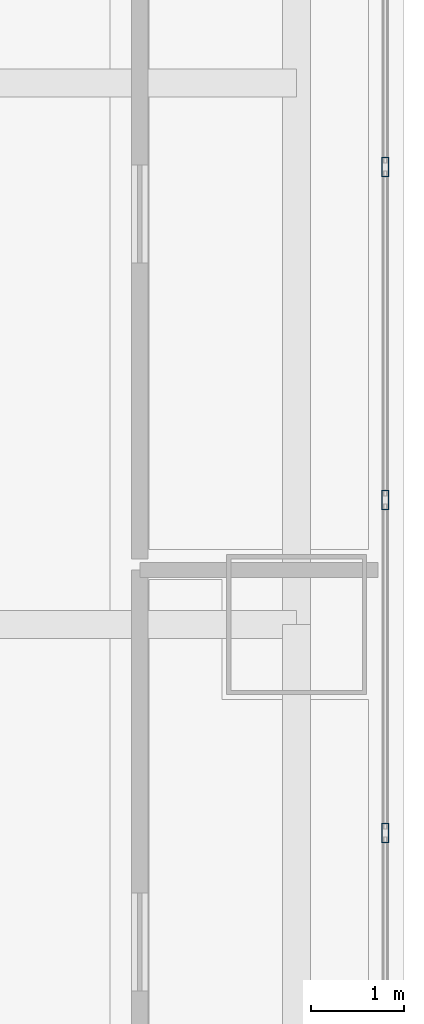
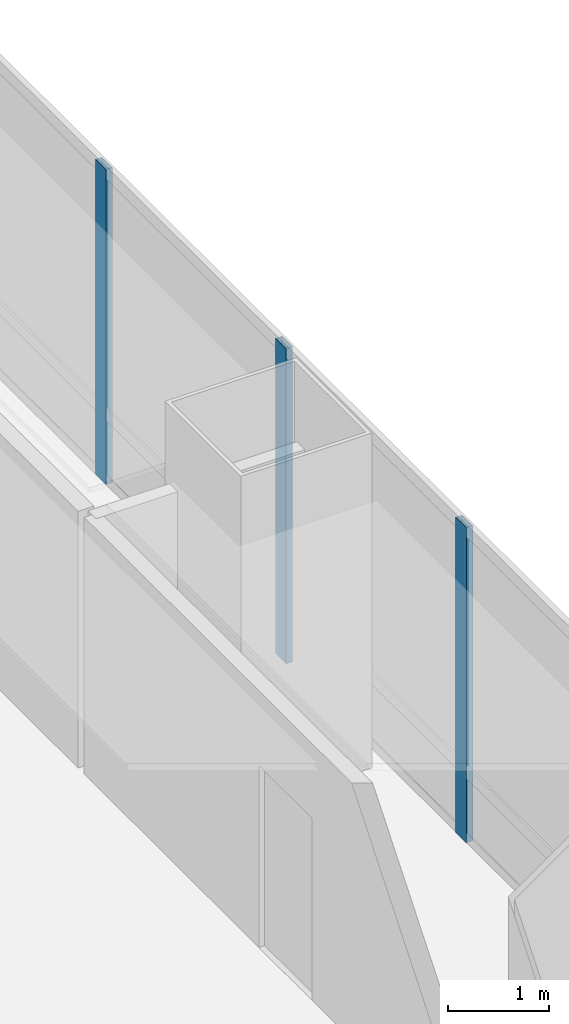
# One storey, part 17 of 36: 3 members, 1 element without a shape of its own.
"""IFC4 building model written with IfcOpenShell, lengths in metres."""

import ifcopenshell
import ifcopenshell.guid

model = None  # the IFC model being written
_history = None  # IfcOwnerHistory: only IFC2X3 demands one
_inside = {}  # id of a spatial element -> (the spatial element, [elements in it])
_under = {}  # id of a project, library or spatial element -> (it, [spatial elements below it])
_declared = {}  # id of a project -> (the project, [libraries it declares])
_typed = {}  # id of a type object -> (the type object, [elements of that type])
_made_of = {}  # id of a material, layer set ... -> (it, [elements and type objects made of it])


def new_model(schema):
    """Start an empty IFC model of exactly this schema.

    Asked for "IFC4X3", IfcOpenShell would pick the latest addendum, in which some entities
    have other attributes; the version numbers below select the first issue.
    IFC2X3 requires an IfcOwnerHistory on every rooted entity: one is made here for all.
    """
    global model, _history
    if schema == "IFC4X3":
        model = ifcopenshell.file(schema_version=(4, 3, 0, 0))
    else:
        model = ifcopenshell.file(schema=schema)
    _inside.clear()
    _under.clear()
    _declared.clear()
    _typed.clear()
    _made_of.clear()
    _history = None
    if model.schema == "IFC2X3":
        org = make("IfcOrganization", Name="unknown")
        user = make(
            "IfcPersonAndOrganization",
            ThePerson=make("IfcPerson", FamilyName="unknown"),
            TheOrganization=org,
        )
        app = make(
            "IfcApplication",
            ApplicationDeveloper=org,
            Version="unknown",
            ApplicationFullName="unknown",
            ApplicationIdentifier="unknown",
        )
        _history = make(
            "IfcOwnerHistory",
            OwningUser=user,
            OwningApplication=app,
            ChangeAction="ADDED",
            CreationDate=0,
        )
    return model


def make(cls, **values):
    """One entity of the class cls with the attributes given. An attribute that is None is left unset."""
    return model.create_entity(
        cls, **{name: value for name, value in values.items() if value is not None}
    )


def rooted(cls, **values):
    """An entity with a GlobalId (a new one), such as an element, a storey or a relation."""
    return make(cls, GlobalId=ifcopenshell.guid.new(), OwnerHistory=_history, **values)


def si_unit(unit_type, name, prefix=None):
    """IfcSIUnit, for example si_unit("LENGTHUNIT", "METRE", prefix="MILLI")."""
    return make("IfcSIUnit", UnitType=unit_type, Prefix=prefix, Name=name)


def assignment(units):
    """IfcUnitAssignment: the units of a project."""
    return None if units is None else make("IfcUnitAssignment", Units=units)


def point(xyz):
    """IfcCartesianPoint."""
    return None if xyz is None else make("IfcCartesianPoint", Coordinates=xyz)


def direction(xyz):
    """IfcDirection."""
    return None if xyz is None else make("IfcDirection", DirectionRatios=xyz)


def frame(location, z_axis=None, x_axis=None):
    """IfcAxis2Placement3D, a coordinate frame: its origin and axes. An axis left out is left unset."""
    return make(
        "IfcAxis2Placement3D",
        Location=point(location),
        Axis=direction(z_axis),
        RefDirection=direction(x_axis),
    )


def frame_2d(location, x_axis=None):
    """IfcAxis2Placement2D, a coordinate frame in the plane: its origin and x axis."""
    return make(
        "IfcAxis2Placement2D", Location=point(location), RefDirection=direction(x_axis)
    )


def origin():
    """The frame at (0, 0, 0) with its axes left unset."""
    return frame((0.0, 0.0, 0.0))


def origin_2d():
    """The frame at (0, 0) in the plane with its x axis left unset."""
    return frame_2d((0.0, 0.0))


def place(relative_to, where):
    """IfcLocalPlacement: puts the frame where relative to a parent placement (None: the world)."""
    return make(
        "IfcLocalPlacement", PlacementRelTo=relative_to, RelativePlacement=where
    )


def context(
    kind, dimensions, precision=None, world=None, true_north=None, identifier=None
):
    """IfcGeometricRepresentationContext, for example the 3D "Model" context."""
    return make(
        "IfcGeometricRepresentationContext",
        ContextIdentifier=identifier,
        ContextType=kind,
        CoordinateSpaceDimension=dimensions,
        Precision=precision,
        WorldCoordinateSystem=world,
        TrueNorth=true_north,
    )


def subcontext(parent, identifier, kind, view, scale=None):
    """IfcGeometricRepresentationSubContext, for example "Body" below "Model"."""
    return make(
        "IfcGeometricRepresentationSubContext",
        ContextIdentifier=identifier,
        ContextType=kind,
        ParentContext=parent,
        TargetScale=scale,
        TargetView=view,
    )


def project(units=None, contexts=None):
    """IfcProject with its units and contexts."""
    return rooted(
        "IfcProject",
        Name="project",
        RepresentationContexts=contexts,
        UnitsInContext=assignment(units),
    )


def spatial(cls, under=None, at=None, **own):
    """A site, building, storey or space (cls), placed at a placement, below another one or the project."""
    s = rooted(cls, ObjectPlacement=at, **own)
    if under is not None:
        _under.setdefault(under.id(), (under, []))[1].append(s)
    return s


def profile(cls, at=None, kind="AREA", **sizes):
    """A parametric profile (cls). Its sizes go by their IFC names, for example OverallWidth=200.0."""
    return make(cls, ProfileType=kind, Position=at, **sizes)


def hollow_rectangle(**sizes):
    """IfcRectangleHollowProfileDef."""
    return profile("IfcRectangleHollowProfileDef", **sizes)


def extrude(swept, where, along, depth):
    """IfcExtrudedAreaSolid: the profile swept, set in the frame where, extruded along a direction by depth."""
    return make(
        "IfcExtrudedAreaSolid",
        SweptArea=swept,
        Position=where,
        ExtrudedDirection=direction(along),
        Depth=depth,
    )


def shape(context_of_items, identifier, shape_type, items):
    """IfcShapeRepresentation: the items that make up one representation, for example the "Body"."""
    return make(
        "IfcShapeRepresentation",
        ContextOfItems=context_of_items,
        RepresentationIdentifier=identifier,
        RepresentationType=shape_type,
        Items=items,
    )


def material(Name=None, Category=None):
    """IfcMaterial."""
    return make("IfcMaterial", Name=Name, Category=Category)


def material_profile(
    of_material, cross_section, Name=None, Category=None, Priority=None
):
    """IfcMaterialProfile: a cross section and its material."""
    return make(
        "IfcMaterialProfile",
        Name=Name,
        Material=of_material,
        Profile=cross_section,
        Priority=Priority,
        Category=Category,
    )


def profile_set(profiles, Name=None, composite=None):
    """IfcMaterialProfileSet."""
    return make(
        "IfcMaterialProfileSet",
        Name=Name,
        MaterialProfiles=profiles,
        CompositeProfile=composite,
    )


def made_of(thing, what):
    """Note that an element or type object is made of a material, layer set ...; save() writes the relation."""
    if what is not None:
        _made_of.setdefault(what.id(), (what, []))[1].append(thing)
    return thing


def type_object(cls, material=None, **own):
    """A type object (cls), such as IfcWallType, which elements share."""
    return made_of(rooted(cls, **own), material)


def element(
    cls,
    number,
    at=None,
    inside=None,
    cuts=None,
    type_object=None,
    material=None,
    context=None,
    identifier="Body",
    shape_type=None,
    held_by="IfcProductDefinitionShape",
    body=None,
    shapes=None,
    **own,
):
    """One element of the class cls, such as IfcWall. Its Tag is "e" and its number.

    at: its placement. inside: the storey or other place that contains it. cuts: it is an
    opening in that element (IfcRelVoidsElement). A single representation is given by context,
    identifier, shape_type and body (its items); several are given by shapes. held_by: the class
    of the entity that holds the representations. save() writes the other relations.
    """
    e = rooted(cls, Tag="e%d" % number, ObjectPlacement=at, **own)
    if body is not None:
        shapes = [shape(context, identifier, shape_type, body)]
    if shapes is not None:
        e.Representation = make(held_by, Representations=shapes)
    if inside is not None:
        _inside.setdefault(inside.id(), (inside, []))[1].append(e)
    if cuts is not None:
        rooted(
            "IfcRelVoidsElement", RelatingBuildingElement=cuts, RelatedOpeningElement=e
        )
    if type_object is not None:
        _typed.setdefault(type_object.id(), (type_object, []))[1].append(e)
    return made_of(e, material)


def aggregate(whole, parts):
    """IfcRelAggregates: a whole, such as a stair, and the parts it consists of."""
    return rooted("IfcRelAggregates", RelatingObject=whole, RelatedObjects=parts)


def save(model, path):
    """Write the relations noted so far, then the file.

    IfcRelAggregates (storeys below a building ...), IfcRelContainedInSpatialStructure (elements
    in a storey), IfcRelDefinesByType, IfcRelAssociatesMaterial and IfcRelDeclares: one each for
    every whole, place, type object, material and project.
    """
    for whole, parts in _under.values():
        aggregate(whole, parts)
    for where, things in _inside.values():
        rooted(
            "IfcRelContainedInSpatialStructure",
            RelatedElements=things,
            RelatingStructure=where,
        )
    for kind, things in _typed.values():
        rooted("IfcRelDefinesByType", RelatedObjects=things, RelatingType=kind)
    for what, things in _made_of.values():
        rooted("IfcRelAssociatesMaterial", RelatedObjects=things, RelatingMaterial=what)
    for by, libraries in _declared.values():
        rooted("IfcRelDeclares", RelatingContext=by, RelatedDefinitions=libraries)
    model.write(path)


model = new_model("IFC4")

# Units and contexts
model_context = context("Model", 3, precision=1e-05, world=origin(), true_north=direction((0.0, 1.0)))
body_context = subcontext(model_context, "Body", "Model", "MODEL_VIEW")
ifc_project = project(units=[si_unit("LENGTHUNIT", "METRE"), si_unit("AREAUNIT", "SQUARE_METRE"), si_unit("VOLUMEUNIT", "CUBIC_METRE"), si_unit("PLANEANGLEUNIT", "RADIAN"), si_unit("MASSUNIT", "GRAM", prefix="KILO")], contexts=[model_context])

# Site, building, storey
site_placement = place(None, origin())
site = spatial("IfcSite", under=ifc_project, at=site_placement, CompositionType="ELEMENT")
building_placement = place(site_placement, origin())
building = spatial("IfcBuilding", under=site, at=building_placement, Name="Punatoya Terracotta Tower", CompositionType="ELEMENT")
storey_placement = place(building_placement, frame((0.0, 0.0, 32.25)))
storey = spatial("IfcBuildingStorey", under=building, at=storey_placement, Name="L06", CompositionType="ELEMENT", Elevation=32.25)

# Curtain wall, members
ifc_material_1 = material(Name="Aluminium 6063-T6 + Double Low-E Glass", Category="aluminium")
curtain_wall_type = type_object("IfcCurtainWallType", Name="CW-M1", PredefinedType="NOTDEFINED", material=ifc_material_1)
curtain_wall_placement = place(storey_placement, origin())
curtain_wall = element("IfcCurtainWall", 1, at=curtain_wall_placement, inside=storey, type_object=curtain_wall_type, Name="L06 Curtain Wall CW-L06-E05-1", PredefinedType="NOTDEFINED")
ifc_material_2 = material(Name="Aluminium 6063-T6", Category="aluminium")
ifc_material_profile = material_profile(ifc_material_2, hollow_rectangle(XDim=0.074951171875, YDim=0.2099609375, WallThickness=0.00439453125, at=origin_2d()))
ifc_profile_set = profile_set([ifc_material_profile], Name="Aluminium 6063-T6")
member_type = type_object("IfcMemberType", Name="CW-MUL-M1", PredefinedType="MULLION", material=ifc_profile_set)
member_1_placement = place(storey_placement, frame((20.050048828125, 1.16748046875, 0.0), z_axis=(0.0, 0.0, 1.0), x_axis=(1.0, 0.0, 0.0)))
member_1 = element("IfcMember", 2, at=member_1_placement, type_object=member_type, Name="CW-L06-E05-1 Mullion 06", PredefinedType="MULLION", context=body_context, shape_type="SweptSolid", body=[
    extrude(hollow_rectangle(XDim=0.074951171875, YDim=0.2099609375, WallThickness=0.00439453125, at=origin_2d()), origin(), (0.0, 0.0, 1.0), 3.81005859375),
])
member_2_placement = place(storey_placement, frame((20.050048828125, 4.73486328125, 0.0), z_axis=(0.0, 0.0, 1.0), x_axis=(1.0, 0.0, 0.0)))
member_2 = element("IfcMember", 3, at=member_2_placement, type_object=member_type, Name="CW-L06-E05-1 Mullion 07", PredefinedType="MULLION", context=body_context, shape_type="SweptSolid", body=[
    extrude(hollow_rectangle(XDim=0.074951171875, YDim=0.2099609375, WallThickness=0.00439453125, at=origin_2d()), origin(), (0.0, 0.0, 1.0), 3.81005859375),
])
member_3_placement = place(storey_placement, frame((20.050048828125, 8.302001953125, 0.0), z_axis=(0.0, 0.0, 1.0), x_axis=(1.0, 0.0, 0.0)))
member_3 = element("IfcMember", 4, at=member_3_placement, type_object=member_type, Name="CW-L06-E05-1 Mullion 08", PredefinedType="MULLION", context=body_context, shape_type="SweptSolid", body=[
    extrude(hollow_rectangle(XDim=0.074951171875, YDim=0.2099609375, WallThickness=0.00439453125, at=origin_2d()), origin(), (0.0, 0.0, 1.0), 3.81005859375),
])
aggregate(curtain_wall, [member_1, member_2, member_3])

save(model, "model.ifc")
